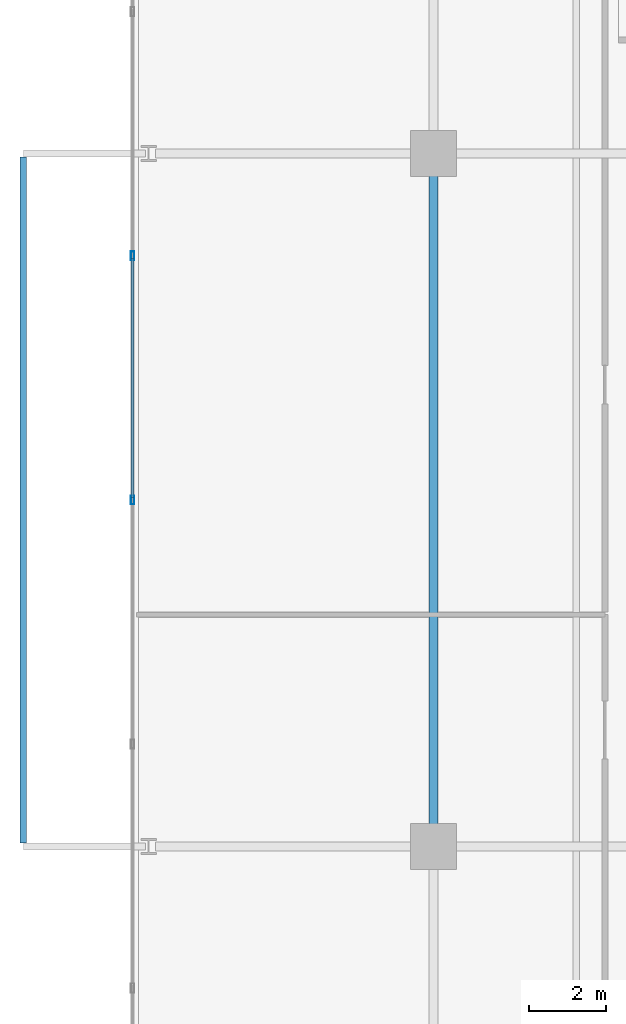
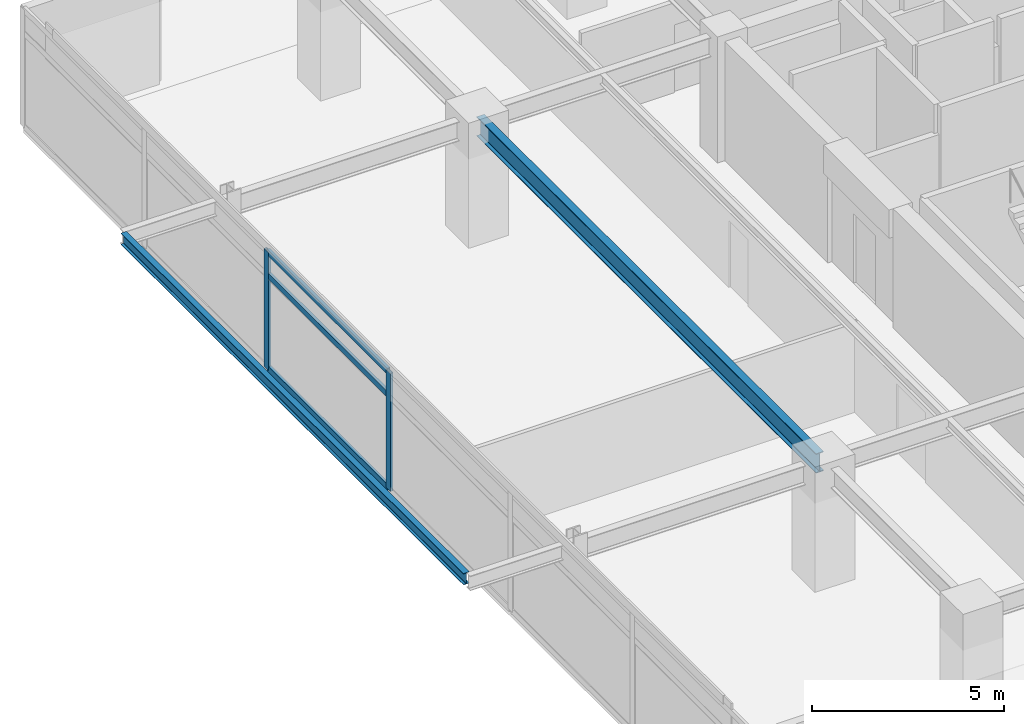
# One storey, part 5 of 23: 5 members, 2 beams, 1 element without a shape of its own.
"""IFC4 building model written with IfcOpenShell, lengths in metres."""

import ifcopenshell
import ifcopenshell.guid

model = None  # the IFC model being written
_history = None  # IfcOwnerHistory: only IFC2X3 demands one
_inside = {}  # id of a spatial element -> (the spatial element, [elements in it])
_under = {}  # id of a project, library or spatial element -> (it, [spatial elements below it])
_declared = {}  # id of a project -> (the project, [libraries it declares])
_typed = {}  # id of a type object -> (the type object, [elements of that type])
_made_of = {}  # id of a material, layer set ... -> (it, [elements and type objects made of it])


def new_model(schema):
    """Start an empty IFC model of exactly this schema.

    Asked for "IFC4X3", IfcOpenShell would pick the latest addendum, in which some entities
    have other attributes; the version numbers below select the first issue.
    IFC2X3 requires an IfcOwnerHistory on every rooted entity: one is made here for all.
    """
    global model, _history
    if schema == "IFC4X3":
        model = ifcopenshell.file(schema_version=(4, 3, 0, 0))
    else:
        model = ifcopenshell.file(schema=schema)
    _inside.clear()
    _under.clear()
    _declared.clear()
    _typed.clear()
    _made_of.clear()
    _history = None
    if model.schema == "IFC2X3":
        org = make("IfcOrganization", Name="unknown")
        user = make(
            "IfcPersonAndOrganization",
            ThePerson=make("IfcPerson", FamilyName="unknown"),
            TheOrganization=org,
        )
        app = make(
            "IfcApplication",
            ApplicationDeveloper=org,
            Version="unknown",
            ApplicationFullName="unknown",
            ApplicationIdentifier="unknown",
        )
        _history = make(
            "IfcOwnerHistory",
            OwningUser=user,
            OwningApplication=app,
            ChangeAction="ADDED",
            CreationDate=0,
        )
    return model


def make(cls, **values):
    """One entity of the class cls with the attributes given. An attribute that is None is left unset."""
    return model.create_entity(
        cls, **{name: value for name, value in values.items() if value is not None}
    )


def rooted(cls, **values):
    """An entity with a GlobalId (a new one), such as an element, a storey or a relation."""
    return make(cls, GlobalId=ifcopenshell.guid.new(), OwnerHistory=_history, **values)


def si_unit(unit_type, name, prefix=None):
    """IfcSIUnit, for example si_unit("LENGTHUNIT", "METRE", prefix="MILLI")."""
    return make("IfcSIUnit", UnitType=unit_type, Prefix=prefix, Name=name)


def assignment(units):
    """IfcUnitAssignment: the units of a project."""
    return None if units is None else make("IfcUnitAssignment", Units=units)


def point(xyz):
    """IfcCartesianPoint."""
    return None if xyz is None else make("IfcCartesianPoint", Coordinates=xyz)


def direction(xyz):
    """IfcDirection."""
    return None if xyz is None else make("IfcDirection", DirectionRatios=xyz)


def frame(location, z_axis=None, x_axis=None):
    """IfcAxis2Placement3D, a coordinate frame: its origin and axes. An axis left out is left unset."""
    return make(
        "IfcAxis2Placement3D",
        Location=point(location),
        Axis=direction(z_axis),
        RefDirection=direction(x_axis),
    )


def frame_2d(location, x_axis=None):
    """IfcAxis2Placement2D, a coordinate frame in the plane: its origin and x axis."""
    return make(
        "IfcAxis2Placement2D", Location=point(location), RefDirection=direction(x_axis)
    )


def origin():
    """The frame at (0, 0, 0) with its axes left unset."""
    return frame((0.0, 0.0, 0.0))


def origin_2d():
    """The frame at (0, 0) in the plane with its x axis left unset."""
    return frame_2d((0.0, 0.0))


def place(relative_to, where):
    """IfcLocalPlacement: puts the frame where relative to a parent placement (None: the world)."""
    return make(
        "IfcLocalPlacement", PlacementRelTo=relative_to, RelativePlacement=where
    )


def context(
    kind, dimensions, precision=None, world=None, true_north=None, identifier=None
):
    """IfcGeometricRepresentationContext, for example the 3D "Model" context."""
    return make(
        "IfcGeometricRepresentationContext",
        ContextIdentifier=identifier,
        ContextType=kind,
        CoordinateSpaceDimension=dimensions,
        Precision=precision,
        WorldCoordinateSystem=world,
        TrueNorth=true_north,
    )


def subcontext(parent, identifier, kind, view, scale=None):
    """IfcGeometricRepresentationSubContext, for example "Body" below "Model"."""
    return make(
        "IfcGeometricRepresentationSubContext",
        ContextIdentifier=identifier,
        ContextType=kind,
        ParentContext=parent,
        TargetScale=scale,
        TargetView=view,
    )


def project(units=None, contexts=None):
    """IfcProject with its units and contexts."""
    return rooted(
        "IfcProject",
        Name="project",
        RepresentationContexts=contexts,
        UnitsInContext=assignment(units),
    )


def spatial(cls, under=None, at=None, **own):
    """A site, building, storey or space (cls), placed at a placement, below another one or the project."""
    s = rooted(cls, ObjectPlacement=at, **own)
    if under is not None:
        _under.setdefault(under.id(), (under, []))[1].append(s)
    return s


def profile(cls, at=None, kind="AREA", **sizes):
    """A parametric profile (cls). Its sizes go by their IFC names, for example OverallWidth=200.0."""
    return make(cls, ProfileType=kind, Position=at, **sizes)


def hollow_rectangle(**sizes):
    """IfcRectangleHollowProfileDef."""
    return profile("IfcRectangleHollowProfileDef", **sizes)


def i_section(**sizes):
    """IfcIShapeProfileDef."""
    return profile("IfcIShapeProfileDef", **sizes)


def extrude(swept, where, along, depth):
    """IfcExtrudedAreaSolid: the profile swept, set in the frame where, extruded along a direction by depth."""
    return make(
        "IfcExtrudedAreaSolid",
        SweptArea=swept,
        Position=where,
        ExtrudedDirection=direction(along),
        Depth=depth,
    )


def shape(context_of_items, identifier, shape_type, items):
    """IfcShapeRepresentation: the items that make up one representation, for example the "Body"."""
    return make(
        "IfcShapeRepresentation",
        ContextOfItems=context_of_items,
        RepresentationIdentifier=identifier,
        RepresentationType=shape_type,
        Items=items,
    )


def material(Name=None, Category=None):
    """IfcMaterial."""
    return make("IfcMaterial", Name=Name, Category=Category)


def material_profile(
    of_material, cross_section, Name=None, Category=None, Priority=None
):
    """IfcMaterialProfile: a cross section and its material."""
    return make(
        "IfcMaterialProfile",
        Name=Name,
        Material=of_material,
        Profile=cross_section,
        Priority=Priority,
        Category=Category,
    )


def profile_set(profiles, Name=None, composite=None):
    """IfcMaterialProfileSet."""
    return make(
        "IfcMaterialProfileSet",
        Name=Name,
        MaterialProfiles=profiles,
        CompositeProfile=composite,
    )


def made_of(thing, what):
    """Note that an element or type object is made of a material, layer set ...; save() writes the relation."""
    if what is not None:
        _made_of.setdefault(what.id(), (what, []))[1].append(thing)
    return thing


def type_object(cls, material=None, **own):
    """A type object (cls), such as IfcWallType, which elements share."""
    return made_of(rooted(cls, **own), material)


def element(
    cls,
    number,
    at=None,
    inside=None,
    cuts=None,
    type_object=None,
    material=None,
    context=None,
    identifier="Body",
    shape_type=None,
    held_by="IfcProductDefinitionShape",
    body=None,
    shapes=None,
    **own,
):
    """One element of the class cls, such as IfcWall. Its Tag is "e" and its number.

    at: its placement. inside: the storey or other place that contains it. cuts: it is an
    opening in that element (IfcRelVoidsElement). A single representation is given by context,
    identifier, shape_type and body (its items); several are given by shapes. held_by: the class
    of the entity that holds the representations. save() writes the other relations.
    """
    e = rooted(cls, Tag="e%d" % number, ObjectPlacement=at, **own)
    if body is not None:
        shapes = [shape(context, identifier, shape_type, body)]
    if shapes is not None:
        e.Representation = make(held_by, Representations=shapes)
    if inside is not None:
        _inside.setdefault(inside.id(), (inside, []))[1].append(e)
    if cuts is not None:
        rooted(
            "IfcRelVoidsElement", RelatingBuildingElement=cuts, RelatedOpeningElement=e
        )
    if type_object is not None:
        _typed.setdefault(type_object.id(), (type_object, []))[1].append(e)
    return made_of(e, material)


def aggregate(whole, parts):
    """IfcRelAggregates: a whole, such as a stair, and the parts it consists of."""
    return rooted("IfcRelAggregates", RelatingObject=whole, RelatedObjects=parts)


def save(model, path):
    """Write the relations noted so far, then the file.

    IfcRelAggregates (storeys below a building ...), IfcRelContainedInSpatialStructure (elements
    in a storey), IfcRelDefinesByType, IfcRelAssociatesMaterial and IfcRelDeclares: one each for
    every whole, place, type object, material and project.
    """
    for whole, parts in _under.values():
        aggregate(whole, parts)
    for where, things in _inside.values():
        rooted(
            "IfcRelContainedInSpatialStructure",
            RelatedElements=things,
            RelatingStructure=where,
        )
    for kind, things in _typed.values():
        rooted("IfcRelDefinesByType", RelatedObjects=things, RelatingType=kind)
    for what, things in _made_of.values():
        rooted("IfcRelAssociatesMaterial", RelatedObjects=things, RelatingMaterial=what)
    for by, libraries in _declared.values():
        rooted("IfcRelDeclares", RelatingContext=by, RelatedDefinitions=libraries)
    model.write(path)


model = new_model("IFC4")

# Units and contexts
model_context = context("Model", 3, precision=1e-05, world=origin(), true_north=direction((0.0, 1.0)))
body_context = subcontext(model_context, "Body", "Model", "MODEL_VIEW")
ifc_project = project(units=[si_unit("LENGTHUNIT", "METRE"), si_unit("AREAUNIT", "SQUARE_METRE"), si_unit("VOLUMEUNIT", "CUBIC_METRE"), si_unit("PLANEANGLEUNIT", "RADIAN"), si_unit("MASSUNIT", "GRAM", prefix="KILO")], contexts=[model_context])

# Site, building, storey
site_placement = place(None, origin())
site = spatial("IfcSite", under=ifc_project, at=site_placement, CompositionType="ELEMENT")
building_placement = place(site_placement, origin())
building = spatial("IfcBuilding", under=site, at=building_placement, Name="Kovane Verandah Tower", CompositionType="ELEMENT")
storey_placement = place(building_placement, frame((0.0, 0.0, 267.199951171875)))
storey = spatial("IfcBuildingStorey", under=building, at=storey_placement, Name="L62", CompositionType="ELEMENT", Elevation=267.199951171875)

# Beam
ifc_material_1 = material(Name="Steel S355", Category="steel")
ifc_material_profile_1 = material_profile(ifc_material_1, i_section(OverallWidth=0.230224609375, OverallDepth=0.6171875, WebThickness=0.01318359375, FlangeThickness=0.022216796875, FilletRadius=0.0126953125, at=origin_2d()), Name="UB610x229x140")
ifc_profile_set_1 = profile_set([ifc_material_profile_1], Name="Steel S355")
beam_type_1 = type_object("IfcBeamType", Name="BM-UB610x140", PredefinedType="BEAM", material=ifc_profile_set_1)
beam_1_placement = place(storey_placement, frame((21.60009765625, 18.679931640625, 3.4765625), z_axis=(0.0, 1.0, 0.0), x_axis=(-1.0, 0.0, 0.0)))
element("IfcBeam", 1, at=beam_1_placement, inside=storey, type_object=beam_type_1, Name="L62 Primary Tower Girder G-RW2", PredefinedType="BEAM", context=body_context, shape_type="SweptSolid", body=[
    extrude(i_section(OverallWidth=0.230224609375, OverallDepth=0.6171875, WebThickness=0.01318359375, FlangeThickness=0.022216796875, FilletRadius=0.0126953125, at=origin_2d()), origin(), (0.0, 0.0, 1.0), 17.64013671875),
])

# Curtain wall, members
ifc_material_2 = material(Name="Champagne Anodised Aluminium Frame with Low-E Clear Laminated Glass", Category="aluminium")
curtain_wall_type = type_object("IfcCurtainWallType", Name="CW-SYS-05-HIGH", PredefinedType="NOTDEFINED", material=ifc_material_2)
curtain_wall_placement = place(storey_placement, origin())
curtain_wall = element("IfcCurtainWall", 2, at=curtain_wall_placement, inside=storey, type_object=curtain_wall_type, Name="L62 W Unitised Curtain Wall", PredefinedType="NOTDEFINED")
ifc_material_3 = material(Name="Champagne Anodised Aluminium 6063-T6", Category="aluminium")
ifc_material_profile_2 = material_profile(ifc_material_3, hollow_rectangle(XDim=0.0849609375, YDim=0.22998046875, WallThickness=0.00390625, at=origin_2d()), Name="AL85x230x4")
ifc_profile_set_2 = profile_set([ifc_material_profile_2], Name="Champagne Anodised Aluminium 6063-T6")
member_type_1 = type_object("IfcMemberType", Name="CW-MUL-85x230", PredefinedType="MULLION", material=ifc_profile_set_2)
member_1_placement = place(storey_placement, frame((13.779296875, 33.841064453125, 0.02001953125), z_axis=(0.0, 0.0, 1.0), x_axis=(-1.0, 0.0, 0.0)))
member_1 = element("IfcMember", 3, at=member_1_placement, type_object=member_type_1, Name="L62 W Unitised Curtain Wall Mullion 3", PredefinedType="MULLION", context=body_context, shape_type="SweptSolid", body=[
    extrude(hollow_rectangle(XDim=0.0849609375, YDim=0.22998046875, WallThickness=0.00390625, at=origin_2d()), origin(), (0.0, 0.0, 1.0), 3.7451171875),
])
member_2_placement = place(storey_placement, frame((13.779296875, 27.5, 0.02001953125), z_axis=(0.0, 0.0, 1.0), x_axis=(-1.0, 0.0, 0.0)))
member_2 = element("IfcMember", 4, at=member_2_placement, type_object=member_type_1, Name="L62 W Unitised Curtain Wall Mullion 4", PredefinedType="MULLION", context=body_context, shape_type="SweptSolid", body=[
    extrude(hollow_rectangle(XDim=0.0849609375, YDim=0.22998046875, WallThickness=0.00390625, at=origin_2d()), origin(), (0.0, 0.0, 1.0), 3.7451171875),
])
ifc_material_profile_3 = material_profile(ifc_material_3, hollow_rectangle(XDim=0.0849609375, YDim=0.18994140625, WallThickness=0.00390625, at=origin_2d()), Name="AL85x190x4")
ifc_profile_set_3 = profile_set([ifc_material_profile_3], Name="Champagne Anodised Aluminium 6063-T6")
member_type_2 = type_object("IfcMemberType", Name="CW-TRN-85x190", PredefinedType="USERDEFINED", material=ifc_profile_set_3)
member_3_placement = place(storey_placement, frame((13.779296875, 33.791015625, 0.050048828125), z_axis=(0.0, -1.0, 0.0), x_axis=(1.0, 0.0, 0.0)))
member_3 = element("IfcMember", 5, at=member_3_placement, type_object=member_type_2, Name="L62 W Unitised Curtain Wall Transom TB Bay 3", ObjectType="TRANSOM", PredefinedType="USERDEFINED", context=body_context, shape_type="SweptSolid", body=[
    extrude(hollow_rectangle(XDim=0.0849609375, YDim=0.18994140625, WallThickness=0.00390625, at=origin_2d()), origin(), (0.0, 0.0, 1.0), 6.240966796875),
])
member_4_placement = place(storey_placement, frame((13.779296875, 33.791015625, 3.005126953125), z_axis=(0.0, -1.0, 0.0), x_axis=(1.0, 0.0, 0.0)))
member_4 = element("IfcMember", 6, at=member_4_placement, type_object=member_type_2, Name="L62 W Unitised Curtain Wall Transom TM Bay 3", ObjectType="TRANSOM", PredefinedType="USERDEFINED", context=body_context, shape_type="SweptSolid", body=[
    extrude(hollow_rectangle(XDim=0.0849609375, YDim=0.18994140625, WallThickness=0.00390625, at=origin_2d()), origin(), (0.0, 0.0, 1.0), 6.240966796875),
])
member_5_placement = place(storey_placement, frame((13.779296875, 33.791015625, 3.735107421875), z_axis=(0.0, -1.0, 0.0), x_axis=(1.0, 0.0, 0.0)))
member_5 = element("IfcMember", 7, at=member_5_placement, type_object=member_type_2, Name="L62 W Unitised Curtain Wall Transom TT Bay 3", ObjectType="TRANSOM", PredefinedType="USERDEFINED", context=body_context, shape_type="SweptSolid", body=[
    extrude(hollow_rectangle(XDim=0.0849609375, YDim=0.18994140625, WallThickness=0.00390625, at=origin_2d()), origin(), (0.0, 0.0, 1.0), 6.240966796875),
])
aggregate(curtain_wall, [member_1, member_2, member_3, member_4, member_5])

# Beam
ifc_material_profile_4 = material_profile(ifc_material_1, i_section(OverallWidth=0.173095703125, OverallDepth=0.36328125, WebThickness=0.009033203125, FlangeThickness=0.015625, FilletRadius=0.01025390625, at=origin_2d()), Name="UB356x171x67")
ifc_profile_set_4 = profile_set([ifc_material_profile_4], Name="Steel S355")
beam_type_2 = type_object("IfcBeamType", Name="SPD-UB356x67", PredefinedType="USERDEFINED", material=ifc_profile_set_4)
beam_2_placement = place(storey_placement, frame((10.94287109375, 18.594482421875, 3.578369140625), z_axis=(0.0, 1.0, 0.0), x_axis=(-1.0, 0.0, 0.0)))
element("IfcBeam", 8, at=beam_2_placement, inside=storey, type_object=beam_type_2, Name="L62 West Planter Edge Spandrel", ObjectType="SPANDREL", PredefinedType="USERDEFINED", context=body_context, shape_type="SweptSolid", body=[
    extrude(i_section(OverallWidth=0.173095703125, OverallDepth=0.36328125, WebThickness=0.009033203125, FlangeThickness=0.015625, FilletRadius=0.01025390625, at=origin_2d()), origin(), (0.0, 0.0, 1.0), 17.81103515625),
])

save(model, "model.ifc")
